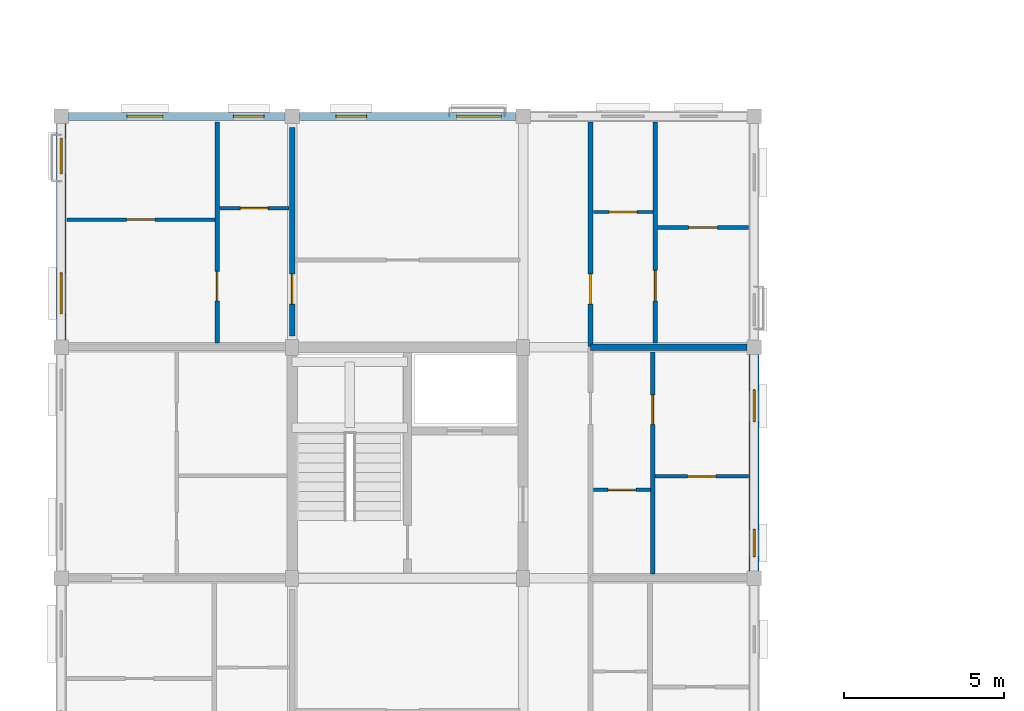
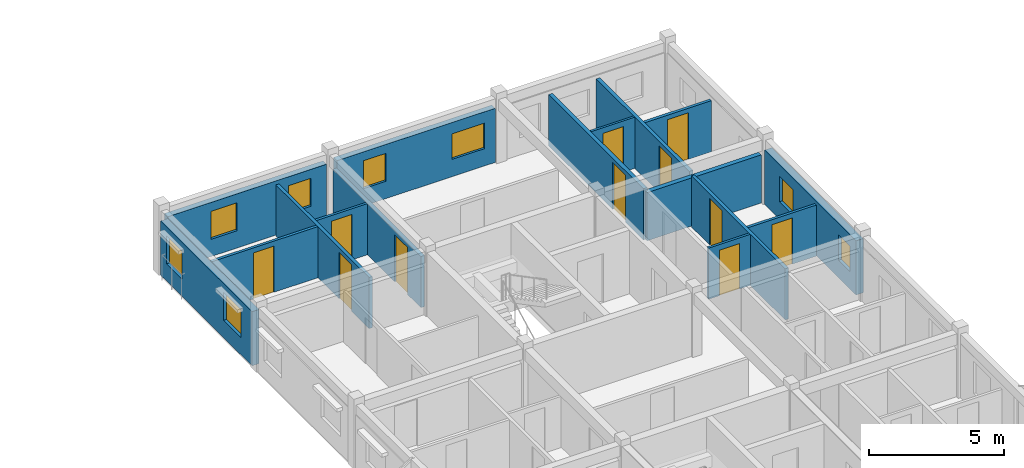
# One storey, part 19 of 28: 16 walls, 11 doors, 8 windows, 19 openings.
"""IFC4 building model written with IfcOpenShell, lengths in metres."""

from ifc_helpers import new_model, si_unit, direction, frame, frame_2d, origin, place, context, subcontext, project, spatial, rectangle, extrude, material, layer, layer_set, type_object, element, fill, save


model = new_model("IFC4")

# Units and contexts
model_context = context("Model", 3, precision=1e-05, world=origin(), true_north=direction((0.0, 1.0)))
body_context = subcontext(model_context, "Body", "Model", "MODEL_VIEW")
ifc_project = project(units=[si_unit("LENGTHUNIT", "METRE"), si_unit("AREAUNIT", "SQUARE_METRE"), si_unit("VOLUMEUNIT", "CUBIC_METRE"), si_unit("PLANEANGLEUNIT", "RADIAN"), si_unit("MASSUNIT", "GRAM", prefix="KILO"), si_unit("THERMODYNAMICTEMPERATUREUNIT", "KELVIN"), si_unit("POWERUNIT", "WATT")], contexts=[model_context])

# Site, building, storey
site_placement = place(None, origin())
site = spatial("IfcSite", under=ifc_project, at=site_placement, CompositionType="ELEMENT")
building_placement = place(site_placement, origin())
building = spatial("IfcBuilding", under=site, at=building_placement, Name="Tavuni Mirador Residences", CompositionType="ELEMENT")
storey_placement = place(building_placement, frame((0.0, 0.0, 39.14990234375)))
storey = spatial("IfcBuildingStorey", under=building, at=storey_placement, Name="L12", CompositionType="ELEMENT", Elevation=39.14990234375)

# Wall, opening, door
ifc_material_1 = material(Name="Precast concrete C40/50", Category="concrete")
ifc_layer_1 = layer(ifc_material_1, 0.1650390625, Name="Precast concrete C40/50", Category="concrete")
ifc_layer_set_1 = layer_set([ifc_layer_1], Name="Precast concrete C40/50")
wall_type_1 = type_object("IfcWallType", Name="WT-CORR165", PredefinedType="PARTITIONING", material=ifc_layer_set_1)
wall_1_placement = place(storey_placement, frame((20.10009765625, 36.02001953125, 0.0), z_axis=(0.0, 0.0, 1.0), x_axis=(0.0, 1.0, 0.0)))
wall_1 = element("IfcWall", 1, at=wall_1_placement, inside=storey, type_object=wall_type_1, Name="CORW-BLK-A-L12-0-04", PredefinedType="PARTITIONING", context=body_context, shape_type="SweptSolid", body=[
    extrude(rectangle(XDim=7.0048828125, YDim=0.1650390625, at=frame_2d((3.50244140625, 0.0))), origin(), (0.0, 0.0, 1.0), 2.30517578125),
])
opening_1_placement = place(wall_1_placement, frame((1.330078125, 0.0, 0.0)))
opening_1 = element("IfcOpeningElement", 2, at=opening_1_placement, cuts=wall_1, Name="Opening D-19", PredefinedType="OPENING", context=body_context, shape_type="SweptSolid", body=[
    extrude(rectangle(XDim=0.93994140625, YDim=2.1201171875, at=frame_2d((0.469970703125, 1.06005859375))), frame((0.0, 0.092529296875, 0.0), z_axis=(0.0, -1.0, 0.0), x_axis=(1.0, 0.0, 0.0)), (0.0, 0.0, 1.0), 0.18505859375),
])
ifc_material_2 = material(Name="Solid core iroko timber", Category="wood")
door_type_1 = type_object("IfcDoorType", Name="DT-FD60-940", OperationType="NOTDEFINED", PredefinedType="DOOR", material=ifc_material_2)
door_1_placement = place(opening_1_placement, origin())
door_1 = element("IfcDoor", 3, at=door_1_placement, inside=storey, type_object=door_type_1, Name="DR-2497", OperationType="SINGLE_SWING_RIGHT", OverallHeight=2.1201171875, OverallWidth=0.93994140625, PredefinedType="DOOR", context=body_context, shape_type="SweptSolid", body=[
    extrude(rectangle(XDim=0.93994140625, YDim=2.1201171875, at=frame_2d((0.469970703125, 1.06005859375))), frame((0.0, 0.02490234375, 0.0), z_axis=(0.0, -1.0, 0.0), x_axis=(1.0, 0.0, 0.0)), (0.0, 0.0, 1.0), 0.050048828125),
])
fill(opening_1, door_1)

wall_2_placement = place(storey_placement, frame((10.800048828125, 36.35009765625, 0.0), z_axis=(0.0, 0.0, 1.0), x_axis=(0.0, 1.0, 0.0)))
wall_2 = element("IfcWall", 4, at=wall_2_placement, inside=storey, type_object=wall_type_1, Name="CORW-BLK-A-L12-1-04", PredefinedType="PARTITIONING", context=body_context, shape_type="SweptSolid", body=[
    extrude(rectangle(XDim=6.5, YDim=0.1650390625, at=frame_2d((3.25, 0.0))), origin(), (0.0, 0.0, 1.0), 2.30517578125),
])
opening_2_placement = place(wall_2_placement, frame((1.0, 0.0, 0.0)))
opening_2 = element("IfcOpeningElement", 5, at=opening_2_placement, cuts=wall_2, Name="Opening D-19", PredefinedType="OPENING", context=body_context, shape_type="SweptSolid", body=[
    extrude(rectangle(XDim=0.93994140625, YDim=2.1201171875, at=frame_2d((0.469970703125, 1.06005859375))), frame((0.0, 0.092529296875, 0.0), z_axis=(0.0, -1.0, 0.0), x_axis=(1.0, 0.0, 0.0)), (0.0, 0.0, 1.0), 0.18505859375),
])
door_2_placement = place(opening_2_placement, origin())
door_2 = element("IfcDoor", 6, at=door_2_placement, inside=storey, type_object=door_type_1, Name="DR-2500", OperationType="SINGLE_SWING_LEFT", OverallHeight=2.1201171875, OverallWidth=0.93994140625, PredefinedType="DOOR", context=body_context, shape_type="SweptSolid", body=[
    extrude(rectangle(XDim=0.93994140625, YDim=2.1201171875, at=frame_2d((0.469970703125, 1.06005859375))), frame((0.0, 0.02490234375, 0.0), z_axis=(0.0, -1.0, 0.0), x_axis=(1.0, 0.0, 0.0)), (0.0, 0.0, 1.0), 0.050048828125),
])
fill(opening_2, door_2)

# Wall, openings, windows
ifc_material_3 = material(Name="Sgraffito lime-rendered precast concrete C40/50", Category="concrete")
ifc_layer_2 = layer(ifc_material_3, 0.2451171875, Name="Sgraffito lime-rendered precast concrete C40/50", Category="concrete")
ifc_layer_set_2 = layer_set([ifc_layer_2], Name="Sgraffito lime-rendered precast concrete C40/50")
wall_type_2 = type_object("IfcWallType", Name="WT-EXT-PC245", PredefinedType="SOLIDWALL", material=ifc_layer_set_2)
wall_3_placement = place(storey_placement, frame((17.77490234375, 43.199951171875, 0.0), z_axis=(0.0, 0.0, 1.0), x_axis=(-1.0, 0.0, 0.0)))
wall_3 = element("IfcWall", 7, at=wall_3_placement, inside=storey, type_object=wall_type_2, Name="EW-BLK-A-L12-N01", PredefinedType="SOLIDWALL", context=body_context, shape_type="SweptSolid", body=[
    extrude(rectangle(XDim=6.75, YDim=0.2451171875, at=frame_2d((3.375, 0.0))), origin(), (0.0, 0.0, 1.0), 2.440185546875),
])
opening_3_placement = place(wall_3_placement, frame((0.449951171875, 0.0, 0.780029296875)))
opening_3 = element("IfcOpeningElement", 8, at=opening_3_placement, cuts=wall_3, Name="Opening WN-08", PredefinedType="OPENING", context=body_context, shape_type="SweptSolid", body=[
    extrude(rectangle(XDim=1.39990234375, YDim=1.14990234375, at=frame_2d((0.699951171875, 0.574951171875))), frame((0.0, 0.132568359375, 0.0), z_axis=(0.0, -1.0, 0.0), x_axis=(1.0, 0.0, 0.0)), (0.0, 0.0, 1.0), 0.26513671875),
])
opening_4_placement = place(wall_3_placement, frame((4.64990234375, 0.0, 0.780029296875)))
opening_4 = element("IfcOpeningElement", 9, at=opening_4_placement, cuts=wall_3, Name="Opening WN-10", PredefinedType="OPENING", context=body_context, shape_type="SweptSolid", body=[
    extrude(rectangle(XDim=0.9599609375, YDim=1.260009765625, at=frame_2d((0.47998046875, 0.6298828125))), frame((0.0, 0.132568359375, 0.0), z_axis=(0.0, -1.0, 0.0), x_axis=(1.0, 0.0, 0.0)), (0.0, 0.0, 1.0), 0.26513671875),
])
ifc_material_4 = material(Name="Laminated solar-control glass", Category="glass")
window_type_1 = type_object("IfcWindowType", Name="WNT-08", PartitioningType="SINGLE_PANEL", PredefinedType="WINDOW", material=ifc_material_4)
window_1_placement = place(opening_3_placement, origin())
window_1 = element("IfcWindow", 10, at=window_1_placement, inside=storey, type_object=window_type_1, Name="WIN-0445", OverallHeight=1.14990234375, OverallWidth=1.39990234375, PartitioningType="SINGLE_PANEL", PredefinedType="WINDOW", context=body_context, shape_type="SweptSolid", body=[
    extrude(rectangle(XDim=1.39990234375, YDim=1.14990234375, at=frame_2d((0.699951171875, 0.574951171875))), frame((0.0, 0.030029296875, 0.0), z_axis=(0.0, -1.0, 0.0), x_axis=(1.0, 0.0, 0.0)), (0.0, 0.0, 1.0), 0.06005859375),
])
fill(opening_3, window_1)
window_type_2 = type_object("IfcWindowType", Name="WNT-10", PartitioningType="SINGLE_PANEL", PredefinedType="WINDOW", material=ifc_material_4)
window_2_placement = place(opening_4_placement, origin())
window_2 = element("IfcWindow", 11, at=window_2_placement, inside=storey, type_object=window_type_2, Name="WIN-0446", OverallHeight=1.260009765625, OverallWidth=0.9599609375, PartitioningType="SINGLE_PANEL", PredefinedType="WINDOW", context=body_context, shape_type="SweptSolid", body=[
    extrude(rectangle(XDim=0.9599609375, YDim=1.260009765625, at=frame_2d((0.47998046875, 0.6298828125))), frame((0.0, 0.030029296875, 0.0), z_axis=(0.0, -1.0, 0.0), x_axis=(1.0, 0.0, 0.0)), (0.0, 0.0, 1.0), 0.06005859375),
])
fill(opening_4, window_2)

ifc_layer_3 = layer(ifc_material_3, 0.2548828125, Name="Sgraffito lime-rendered precast concrete C40/50", Category="concrete")
ifc_layer_set_3 = layer_set([ifc_layer_3], Name="Sgraffito lime-rendered precast concrete C40/50")
wall_type_3 = type_object("IfcWallType", Name="WT-EXT-PC255", PredefinedType="SOLIDWALL", material=ifc_layer_set_3)
wall_4_placement = place(storey_placement, frame((10.574951171875, 43.199951171875, 0.0), z_axis=(0.0, 0.0, 1.0), x_axis=(-1.0, 0.0, 0.0)))
wall_4 = element("IfcWall", 12, at=wall_4_placement, inside=storey, type_object=wall_type_3, Name="EW-BLK-A-L12-N00", PredefinedType="SOLIDWALL", context=body_context, shape_type="SweptSolid", body=[
    extrude(rectangle(XDim=6.75, YDim=0.2548828125, at=frame_2d((3.375, 0.0))), origin(), (0.0, 0.0, 1.0), 2.440185546875),
])
opening_5_placement = place(wall_4_placement, frame((0.6474609375, 0.0, 0.780029296875)))
opening_5 = element("IfcOpeningElement", 13, at=opening_5_placement, cuts=wall_4, Name="Opening WN-10", PredefinedType="OPENING", context=body_context, shape_type="SweptSolid", body=[
    extrude(rectangle(XDim=0.9599609375, YDim=1.260009765625, at=frame_2d((0.47998046875, 0.6298828125))), frame((0.0, 0.137451171875, 0.0), z_axis=(0.0, -1.0, 0.0), x_axis=(1.0, 0.0, 0.0)), (0.0, 0.0, 1.0), 0.27490234375),
])
opening_6_placement = place(wall_4_placement, frame((3.802490234375, 0.0, 0.780029296875)))
opening_6 = element("IfcOpeningElement", 14, at=opening_6_placement, cuts=wall_4, Name="Opening WN-12", PredefinedType="OPENING", context=body_context, shape_type="SweptSolid", body=[
    extrude(rectangle(XDim=1.1201171875, YDim=1.260009765625, at=frame_2d((0.56005859375, 0.6298828125))), frame((0.0, 0.137451171875, 0.0), z_axis=(0.0, -1.0, 0.0), x_axis=(1.0, 0.0, 0.0)), (0.0, 0.0, 1.0), 0.27490234375),
])
window_3_placement = place(opening_5_placement, origin())
window_3 = element("IfcWindow", 15, at=window_3_placement, inside=storey, type_object=window_type_2, Name="WIN-0447", OverallHeight=1.260009765625, OverallWidth=0.9599609375, PartitioningType="SINGLE_PANEL", PredefinedType="WINDOW", context=body_context, shape_type="SweptSolid", body=[
    extrude(rectangle(XDim=0.9599609375, YDim=1.260009765625, at=frame_2d((0.47998046875, 0.6298828125))), frame((0.0, 0.030029296875, 0.0), z_axis=(0.0, -1.0, 0.0), x_axis=(1.0, 0.0, 0.0)), (0.0, 0.0, 1.0), 0.06005859375),
])
fill(opening_5, window_3)
window_type_3 = type_object("IfcWindowType", Name="WNT-12", PartitioningType="SINGLE_PANEL", PredefinedType="WINDOW", material=ifc_material_4)
window_4_placement = place(opening_6_placement, origin())
window_4 = element("IfcWindow", 16, at=window_4_placement, inside=storey, type_object=window_type_3, Name="WIN-0448", OverallHeight=1.260009765625, OverallWidth=1.1201171875, PartitioningType="SINGLE_PANEL", PredefinedType="WINDOW", context=body_context, shape_type="SweptSolid", body=[
    extrude(rectangle(XDim=1.1201171875, YDim=1.260009765625, at=frame_2d((0.56005859375, 0.6298828125))), frame((0.0, 0.030029296875, 0.0), z_axis=(0.0, -1.0, 0.0), x_axis=(1.0, 0.0, 0.0)), (0.0, 0.0, 1.0), 0.06005859375),
])
fill(opening_6, window_4)

ifc_layer_4 = layer(ifc_material_3, 0.304931640625, Name="Sgraffito lime-rendered precast concrete C40/50", Category="concrete")
ifc_layer_set_4 = layer_set([ifc_layer_4], Name="Sgraffito lime-rendered precast concrete C40/50")
wall_type_4 = type_object("IfcWallType", Name="WT-EXT-PC305", PredefinedType="SOLIDWALL", material=ifc_layer_set_4)
wall_5_placement = place(storey_placement, frame((3.60009765625, 42.97509765625, 0.0), z_axis=(0.0, 0.0, 1.0), x_axis=(0.0, -1.0, 0.0)))
wall_5 = element("IfcWall", 17, at=wall_5_placement, inside=storey, type_object=wall_type_4, Name="EW-BLK-A-L12-W04", PredefinedType="SOLIDWALL", context=body_context, shape_type="SweptSolid", body=[
    extrude(rectangle(XDim=6.75, YDim=0.304931640625, at=frame_2d((3.375, 0.0))), origin(), (0.0, 0.0, 1.0), 2.440185546875),
])
opening_7_placement = place(wall_5_placement, frame((0.449951171875, 0.0, 0.780029296875)))
opening_7 = element("IfcOpeningElement", 18, at=opening_7_placement, cuts=wall_5, Name="Opening WN-12", PredefinedType="OPENING", context=body_context, shape_type="SweptSolid", body=[
    extrude(rectangle(XDim=1.1201171875, YDim=1.260009765625, at=frame_2d((0.56005859375, 0.6298828125))), frame((0.0, 0.16259765625, 0.0), z_axis=(0.0, -1.0, 0.0), x_axis=(1.0, 0.0, 0.0)), (0.0, 0.0, 1.0), 0.324951171875),
])
opening_8_placement = place(wall_5_placement, frame((4.64990234375, 0.0, 0.780029296875)))
opening_8 = element("IfcOpeningElement", 19, at=opening_8_placement, cuts=wall_5, Name="Opening WN-14", PredefinedType="OPENING", context=body_context, shape_type="SweptSolid", body=[
    extrude(rectangle(XDim=1.280029296875, YDim=1.260009765625, at=frame_2d((0.64013671875, 0.6298828125))), frame((0.0, 0.16259765625, 0.0), z_axis=(0.0, -1.0, 0.0), x_axis=(1.0, 0.0, 0.0)), (0.0, 0.0, 1.0), 0.324951171875),
])
window_5_placement = place(opening_7_placement, origin())
window_5 = element("IfcWindow", 20, at=window_5_placement, inside=storey, type_object=window_type_3, Name="WIN-0449", OverallHeight=1.260009765625, OverallWidth=1.1201171875, PartitioningType="SINGLE_PANEL", PredefinedType="WINDOW", context=body_context, shape_type="SweptSolid", body=[
    extrude(rectangle(XDim=1.1201171875, YDim=1.260009765625, at=frame_2d((0.56005859375, 0.6298828125))), frame((0.0, 0.030029296875, 0.0), z_axis=(0.0, -1.0, 0.0), x_axis=(1.0, 0.0, 0.0)), (0.0, 0.0, 1.0), 0.06005859375),
])
fill(opening_7, window_5)
window_type_4 = type_object("IfcWindowType", Name="WNT-14", PartitioningType="SINGLE_PANEL", PredefinedType="WINDOW", material=ifc_material_4)
window_6_placement = place(opening_8_placement, origin())
window_6 = element("IfcWindow", 21, at=window_6_placement, inside=storey, type_object=window_type_4, Name="WIN-0450", OverallHeight=1.260009765625, OverallWidth=1.280029296875, PartitioningType="SINGLE_PANEL", PredefinedType="WINDOW", context=body_context, shape_type="SweptSolid", body=[
    extrude(rectangle(XDim=1.280029296875, YDim=1.260009765625, at=frame_2d((0.64013671875, 0.6298828125))), frame((0.0, 0.030029296875, 0.0), z_axis=(0.0, -1.0, 0.0), x_axis=(1.0, 0.0, 0.0)), (0.0, 0.0, 1.0), 0.06005859375),
])
fill(opening_8, window_6)

ifc_layer_5 = layer(ifc_material_3, 0.31494140625, Name="Sgraffito lime-rendered precast concrete C40/50", Category="concrete")
ifc_layer_set_5 = layer_set([ifc_layer_5], Name="Sgraffito lime-rendered precast concrete C40/50")
wall_type_5 = type_object("IfcWallType", Name="WT-EXT-PC315", PredefinedType="SOLIDWALL", material=ifc_layer_set_5)
wall_6_placement = place(storey_placement, frame((25.199951171875, 29.02490234375, 0.0), z_axis=(0.0, 0.0, 1.0), x_axis=(0.0, 1.0, 0.0)))
wall_6 = element("IfcWall", 22, at=wall_6_placement, inside=storey, type_object=wall_type_5, Name="EW-BLK-A-L12-E03", PredefinedType="SOLIDWALL", context=body_context, shape_type="SweptSolid", body=[
    extrude(rectangle(XDim=6.75, YDim=0.31494140625, at=frame_2d((3.375, 0.0))), origin(), (0.0, 0.0, 1.0), 2.440185546875),
])
opening_9_placement = place(wall_6_placement, frame((0.449951171875, 0.0, 0.780029296875)))
opening_9 = element("IfcOpeningElement", 23, at=opening_9_placement, cuts=wall_6, Name="Opening WN-01", PredefinedType="OPENING", context=body_context, shape_type="SweptSolid", body=[
    extrude(rectangle(XDim=0.85009765625, YDim=1.14990234375, at=frame_2d((0.425048828125, 0.574951171875))), frame((0.0, 0.16748046875, 0.0), z_axis=(0.0, -1.0, 0.0), x_axis=(1.0, 0.0, 0.0)), (0.0, 0.0, 1.0), 0.3349609375),
])
opening_10_placement = place(wall_6_placement, frame((4.64990234375, 0.0, 0.780029296875)))
opening_10 = element("IfcOpeningElement", 24, at=opening_10_placement, cuts=wall_6, Name="Opening WN-03", PredefinedType="OPENING", context=body_context, shape_type="SweptSolid", body=[
    extrude(rectangle(XDim=1.0, YDim=1.14990234375, at=frame_2d((0.5, 0.574951171875))), frame((0.0, 0.16748046875, 0.0), z_axis=(0.0, -1.0, 0.0), x_axis=(1.0, 0.0, 0.0)), (0.0, 0.0, 1.0), 0.3349609375),
])
window_type_5 = type_object("IfcWindowType", Name="WNT-01", PartitioningType="SINGLE_PANEL", PredefinedType="WINDOW", material=ifc_material_4)
window_7_placement = place(opening_9_placement, origin())
window_7 = element("IfcWindow", 25, at=window_7_placement, inside=storey, type_object=window_type_5, Name="WIN-0438", OverallHeight=1.14990234375, OverallWidth=0.85009765625, PartitioningType="SINGLE_PANEL", PredefinedType="WINDOW", context=body_context, shape_type="SweptSolid", body=[
    extrude(rectangle(XDim=0.85009765625, YDim=1.14990234375, at=frame_2d((0.425048828125, 0.574951171875))), frame((0.0, 0.030029296875, 0.0), z_axis=(0.0, -1.0, 0.0), x_axis=(1.0, 0.0, 0.0)), (0.0, 0.0, 1.0), 0.06005859375),
])
fill(opening_9, window_7)
window_type_6 = type_object("IfcWindowType", Name="WNT-03", PartitioningType="SINGLE_PANEL", PredefinedType="WINDOW", material=ifc_material_4)
window_8_placement = place(opening_10_placement, origin())
window_8 = element("IfcWindow", 26, at=window_8_placement, inside=storey, type_object=window_type_6, Name="WIN-0439", OverallHeight=1.14990234375, OverallWidth=1.0, PartitioningType="SINGLE_PANEL", PredefinedType="WINDOW", context=body_context, shape_type="SweptSolid", body=[
    extrude(rectangle(XDim=1.0, YDim=1.14990234375, at=frame_2d((0.5, 0.574951171875))), frame((0.0, 0.030029296875, 0.0), z_axis=(0.0, -1.0, 0.0), x_axis=(1.0, 0.0, 0.0)), (0.0, 0.0, 1.0), 0.06005859375),
])
fill(opening_10, window_8)

# Wall, opening, door
ifc_material_5 = material(Name="Acoustic gypsum and concrete block partition", Category="concrete")
ifc_layer_6 = layer(ifc_material_5, 0.094970703125, Name="Acoustic gypsum and concrete block partition", Category="concrete")
ifc_layer_set_6 = layer_set([ifc_layer_6], Name="Acoustic gypsum and concrete block partition")
wall_type_6 = type_object("IfcWallType", Name="WT-PART095", PredefinedType="PARTITIONING", material=ifc_layer_set_6)
wall_7_placement = place(storey_placement, frame((20.18994140625, 40.219970703125, 0.0), z_axis=(0.0, 0.0, 1.0), x_axis=(1.0, 0.0, 0.0)))
wall_7 = element("IfcWall", 27, at=wall_7_placement, inside=storey, type_object=wall_type_6, Name="PW-BLK-A-L12-E04-IN1", PredefinedType="PARTITIONING", context=body_context, shape_type="SweptSolid", body=[
    extrude(rectangle(XDim=1.860107421875, YDim=0.094970703125, at=frame_2d((0.93017578125, 0.0))), origin(), (0.0, 0.0, 1.0), 2.30517578125),
])
opening_11_placement = place(wall_7_placement, frame((0.4951171875, 0.0, 0.0)))
opening_11 = element("IfcOpeningElement", 28, at=opening_11_placement, cuts=wall_7, Name="Opening D-10", PredefinedType="OPENING", context=body_context, shape_type="SweptSolid", body=[
    extrude(rectangle(XDim=0.8701171875, YDim=2.050048828125, at=frame_2d((0.43505859375, 1.02490234375))), frame((0.0, 0.0576171875, 0.0), z_axis=(0.0, -1.0, 0.0), x_axis=(1.0, 0.0, 0.0)), (0.0, 0.0, 1.0), 0.114990234375),
])
door_type_2 = type_object("IfcDoorType", Name="DT-WC870", OperationType="NOTDEFINED", PredefinedType="DOOR", material=ifc_material_2)
door_3_placement = place(opening_11_placement, origin())
door_3 = element("IfcDoor", 29, at=door_3_placement, inside=storey, type_object=door_type_2, Name="DR-3345", OperationType="SINGLE_SWING_RIGHT", OverallHeight=2.050048828125, OverallWidth=0.8701171875, PredefinedType="DOOR", context=body_context, shape_type="SweptSolid", body=[
    extrude(rectangle(XDim=0.8701171875, YDim=2.050048828125, at=frame_2d((0.43505859375, 1.02490234375))), frame((0.0, 0.02490234375, 0.0), z_axis=(0.0, -1.0, 0.0), x_axis=(1.0, 0.0, 0.0)), (0.0, 0.0, 1.0), 0.050048828125),
])
fill(opening_11, door_3)

ifc_layer_7 = layer(ifc_material_5, 0.10498046875, Name="Acoustic gypsum and concrete block partition", Category="concrete")
ifc_layer_set_7 = layer_set([ifc_layer_7], Name="Acoustic gypsum and concrete block partition")
wall_type_7 = type_object("IfcWallType", Name="WT-PART105", PredefinedType="PARTITIONING", material=ifc_layer_set_7)
wall_8_placement = place(storey_placement, frame((20.18994140625, 31.56005859375, 0.0), z_axis=(0.0, 0.0, 1.0), x_axis=(1.0, 0.0, 0.0)))
wall_8 = element("IfcWall", 30, at=wall_8_placement, inside=storey, type_object=wall_type_7, Name="PW-BLK-A-L12-E03-IN1", PredefinedType="PARTITIONING", context=body_context, shape_type="SweptSolid", body=[
    extrude(rectangle(XDim=1.780029296875, YDim=0.10498046875, at=frame_2d((0.89013671875, 0.0))), origin(), (0.0, 0.0, 1.0), 2.30517578125),
])
opening_12_placement = place(wall_8_placement, frame((0.455078125, 0.0, 0.0)))
opening_12 = element("IfcOpeningElement", 31, at=opening_12_placement, cuts=wall_8, Name="Opening D-10", PredefinedType="OPENING", context=body_context, shape_type="SweptSolid", body=[
    extrude(rectangle(XDim=0.8701171875, YDim=2.050048828125, at=frame_2d((0.43505859375, 1.02490234375))), frame((0.0, 0.0625, 0.0), z_axis=(0.0, -1.0, 0.0), x_axis=(1.0, 0.0, 0.0)), (0.0, 0.0, 1.0), 0.125),
])
door_4_placement = place(opening_12_placement, origin())
door_4 = element("IfcDoor", 32, at=door_4_placement, inside=storey, type_object=door_type_2, Name="DR-3338", OperationType="SINGLE_SWING_LEFT", OverallHeight=2.050048828125, OverallWidth=0.8701171875, PredefinedType="DOOR", context=body_context, shape_type="SweptSolid", body=[
    extrude(rectangle(XDim=0.8701171875, YDim=2.050048828125, at=frame_2d((0.43505859375, 1.02490234375))), frame((0.0, 0.02490234375, 0.0), z_axis=(0.0, -1.0, 0.0), x_axis=(1.0, 0.0, 0.0)), (0.0, 0.0, 1.0), 0.050048828125),
])
fill(opening_12, door_4)

wall_9_placement = place(storey_placement, frame((8.530029296875, 40.340087890625, 0.0), z_axis=(0.0, 0.0, 1.0), x_axis=(1.0, 0.0, 0.0)))
wall_9 = element("IfcWall", 33, at=wall_9_placement, inside=storey, type_object=wall_type_7, Name="PW-BLK-A-L12-W04-IN1", PredefinedType="PARTITIONING", context=body_context, shape_type="SweptSolid", body=[
    extrude(rectangle(XDim=2.179931640625, YDim=0.10498046875, at=frame_2d((1.08984375, 0.0))), origin(), (0.0, 0.0, 1.0), 2.30517578125),
])
opening_13_placement = place(wall_9_placement, frame((0.655029296875, 0.0, 0.0)))
opening_13 = element("IfcOpeningElement", 34, at=opening_13_placement, cuts=wall_9, Name="Opening D-10", PredefinedType="OPENING", context=body_context, shape_type="SweptSolid", body=[
    extrude(rectangle(XDim=0.8701171875, YDim=2.050048828125, at=frame_2d((0.43505859375, 1.02490234375))), frame((0.0, 0.0625, 0.0), z_axis=(0.0, -1.0, 0.0), x_axis=(1.0, 0.0, 0.0)), (0.0, 0.0, 1.0), 0.125),
])
door_5_placement = place(opening_13_placement, origin())
door_5 = element("IfcDoor", 35, at=door_5_placement, inside=storey, type_object=door_type_2, Name="DR-3342", OperationType="SINGLE_SWING_LEFT", OverallHeight=2.050048828125, OverallWidth=0.8701171875, PredefinedType="DOOR", context=body_context, shape_type="SweptSolid", body=[
    extrude(rectangle(XDim=0.8701171875, YDim=2.050048828125, at=frame_2d((0.43505859375, 1.02490234375))), frame((0.0, 0.02490234375, 0.0), z_axis=(0.0, -1.0, 0.0), x_axis=(1.0, 0.0, 0.0)), (0.0, 0.0, 1.0), 0.050048828125),
])
fill(opening_13, door_5)

ifc_layer_8 = layer(ifc_material_5, 0.114990234375, Name="Acoustic gypsum and concrete block partition", Category="concrete")
ifc_layer_set_8 = layer_set([ifc_layer_8], Name="Acoustic gypsum and concrete block partition")
wall_type_8 = type_object("IfcWallType", Name="WT-PART115", PredefinedType="PARTITIONING", material=ifc_layer_set_8)
wall_10_placement = place(storey_placement, frame((22.110107421875, 31.97998046875, 0.0), z_axis=(0.0, 0.0, 1.0), x_axis=(1.0, 0.0, 0.0)))
wall_10 = element("IfcWall", 36, at=wall_10_placement, inside=storey, type_object=wall_type_8, Name="PW-BLK-A-L12-E03-OUT", PredefinedType="PARTITIONING", context=body_context, shape_type="SweptSolid", body=[
    extrude(rectangle(XDim=2.914794921875, YDim=0.114990234375, at=frame_2d((1.45751953125, 0.0))), origin(), (0.0, 0.0, 1.0), 2.30517578125),
])
opening_14_placement = place(wall_10_placement, frame((1.017578125, 0.0, 0.0)))
opening_14 = element("IfcOpeningElement", 37, at=opening_14_placement, cuts=wall_10, Name="Opening D-08", PredefinedType="OPENING", context=body_context, shape_type="SweptSolid", body=[
    extrude(rectangle(XDim=0.8798828125, YDim=2.080078125, at=frame_2d((0.43994140625, 1.0400390625))), frame((0.0, 0.0673828125, 0.0), z_axis=(0.0, -1.0, 0.0), x_axis=(1.0, 0.0, 0.0)), (0.0, 0.0, 1.0), 0.135009765625),
])
door_type_3 = type_object("IfcDoorType", Name="DT-BED880", OperationType="NOTDEFINED", PredefinedType="DOOR", material=ifc_material_2)
door_6_placement = place(opening_14_placement, origin())
door_6 = element("IfcDoor", 38, at=door_6_placement, inside=storey, type_object=door_type_3, Name="DR-3337", OperationType="SINGLE_SWING_RIGHT", OverallHeight=2.080078125, OverallWidth=0.8798828125, PredefinedType="DOOR", context=body_context, shape_type="SweptSolid", body=[
    extrude(rectangle(XDim=0.8798828125, YDim=2.080078125, at=frame_2d((0.43994140625, 1.0400390625))), frame((0.0, 0.02490234375, 0.0), z_axis=(0.0, -1.0, 0.0), x_axis=(1.0, 0.0, 0.0)), (0.0, 0.0, 1.0), 0.050048828125),
])
fill(opening_14, door_6)

wall_11_placement = place(storey_placement, frame((3.77490234375, 39.97998046875, 0.0), z_axis=(0.0, 0.0, 1.0), x_axis=(1.0, 0.0, 0.0)))
wall_11 = element("IfcWall", 39, at=wall_11_placement, inside=storey, type_object=wall_type_8, Name="PW-BLK-A-L12-W04-OUT", PredefinedType="PARTITIONING", context=body_context, shape_type="SweptSolid", body=[
    extrude(rectangle(XDim=4.614990234375, YDim=0.114990234375, at=frame_2d((2.3076171875, 0.0))), origin(), (0.0, 0.0, 1.0), 2.30517578125),
])
opening_15_placement = place(wall_11_placement, frame((1.867431640625, 0.0, 0.0)))
opening_15 = element("IfcOpeningElement", 40, at=opening_15_placement, cuts=wall_11, Name="Opening D-08", PredefinedType="OPENING", context=body_context, shape_type="SweptSolid", body=[
    extrude(rectangle(XDim=0.8798828125, YDim=2.080078125, at=frame_2d((0.43994140625, 1.0400390625))), frame((0.0, 0.0673828125, 0.0), z_axis=(0.0, -1.0, 0.0), x_axis=(1.0, 0.0, 0.0)), (0.0, 0.0, 1.0), 0.135009765625),
])
door_7_placement = place(opening_15_placement, origin())
door_7 = element("IfcDoor", 41, at=door_7_placement, inside=storey, type_object=door_type_3, Name="DR-3341", OperationType="SINGLE_SWING_RIGHT", OverallHeight=2.080078125, OverallWidth=0.8798828125, PredefinedType="DOOR", context=body_context, shape_type="SweptSolid", body=[
    extrude(rectangle(XDim=0.8798828125, YDim=2.080078125, at=frame_2d((0.43994140625, 1.0400390625))), frame((0.0, 0.02490234375, 0.0), z_axis=(0.0, -1.0, 0.0), x_axis=(1.0, 0.0, 0.0)), (0.0, 0.0, 1.0), 0.050048828125),
])
fill(opening_15, door_7)

ifc_layer_9 = layer(ifc_material_5, 0.125, Name="Acoustic gypsum and concrete block partition", Category="concrete")
ifc_layer_set_9 = layer_set([ifc_layer_9], Name="Acoustic gypsum and concrete block partition")
wall_type_9 = type_object("IfcWallType", Name="WT-PART125", PredefinedType="PARTITIONING", material=ifc_layer_set_9)
wall_12_placement = place(storey_placement, frame((22.18994140625, 39.739990234375, 0.0), z_axis=(0.0, 0.0, 1.0), x_axis=(1.0, 0.0, 0.0)))
wall_12 = element("IfcWall", 42, at=wall_12_placement, inside=storey, type_object=wall_type_9, Name="PW-BLK-A-L12-E04-OUT", PredefinedType="PARTITIONING", context=body_context, shape_type="SweptSolid", body=[
    extrude(rectangle(XDim=2.8349609375, YDim=0.125, at=frame_2d((1.41748046875, 0.0))), origin(), (0.0, 0.0, 1.0), 2.30517578125),
])
opening_16_placement = place(wall_12_placement, frame((0.967529296875, 0.0, 0.0)))
opening_16 = element("IfcOpeningElement", 43, at=opening_16_placement, cuts=wall_12, Name="Opening D-07", PredefinedType="OPENING", context=body_context, shape_type="SweptSolid", body=[
    extrude(rectangle(XDim=0.89990234375, YDim=2.10009765625, at=frame_2d((0.449951171875, 1.050048828125))), frame((0.0, 0.072509765625, 0.0), z_axis=(0.0, -1.0, 0.0), x_axis=(1.0, 0.0, 0.0)), (0.0, 0.0, 1.0), 0.14501953125),
])
door_type_4 = type_object("IfcDoorType", Name="DT-BED900", OperationType="NOTDEFINED", PredefinedType="DOOR", material=ifc_material_2)
door_8_placement = place(opening_16_placement, origin())
door_8 = element("IfcDoor", 44, at=door_8_placement, inside=storey, type_object=door_type_4, Name="DR-3344", OperationType="SINGLE_SWING_LEFT", OverallHeight=2.10009765625, OverallWidth=0.89990234375, PredefinedType="DOOR", context=body_context, shape_type="SweptSolid", body=[
    extrude(rectangle(XDim=0.89990234375, YDim=2.10009765625, at=frame_2d((0.449951171875, 1.050048828125))), frame((0.0, 0.02490234375, 0.0), z_axis=(0.0, -1.0, 0.0), x_axis=(1.0, 0.0, 0.0)), (0.0, 0.0, 1.0), 0.050048828125),
])
fill(opening_16, door_8)

ifc_layer_10 = layer(ifc_material_5, 0.139892578125, Name="Acoustic gypsum and concrete block partition", Category="concrete")
ifc_layer_set_10 = layer_set([ifc_layer_10], Name="Acoustic gypsum and concrete block partition")
wall_type_10 = type_object("IfcWallType", Name="WT-PART140", PredefinedType="PARTITIONING", material=ifc_layer_set_10)
wall_13_placement = place(storey_placement, frame((22.0400390625, 28.93994140625, 0.0), z_axis=(0.0, 0.0, 1.0), x_axis=(0.0, 1.0, 0.0)))
wall_13 = element("IfcWall", 45, at=wall_13_placement, inside=storey, type_object=wall_type_10, Name="PW-BLK-A-L12-E03-MID", PredefinedType="PARTITIONING", context=body_context, shape_type="SweptSolid", body=[
    extrude(rectangle(XDim=6.920166015625, YDim=0.139892578125, at=frame_2d((3.4599609375, 0.0))), origin(), (0.0, 0.0, 1.0), 2.30517578125),
])
opening_17_placement = place(wall_13_placement, frame((4.659912109375, 0.0, 0.0)))
opening_17 = element("IfcOpeningElement", 46, at=opening_17_placement, cuts=wall_13, Name="Opening D-06", PredefinedType="OPENING", context=body_context, shape_type="SweptSolid", body=[
    extrude(rectangle(XDim=0.919921875, YDim=2.10009765625, at=frame_2d((0.4599609375, 1.050048828125))), frame((0.0, 0.080078125, 0.0), z_axis=(0.0, -1.0, 0.0), x_axis=(1.0, 0.0, 0.0)), (0.0, 0.0, 1.0), 0.159912109375),
])
door_type_5 = type_object("IfcDoorType", Name="DT-INT920", OperationType="NOTDEFINED", PredefinedType="DOOR", material=ifc_material_2)
door_9_placement = place(opening_17_placement, origin())
door_9 = element("IfcDoor", 47, at=door_9_placement, inside=storey, type_object=door_type_5, Name="DR-3339", OperationType="SINGLE_SWING_RIGHT", OverallHeight=2.10009765625, OverallWidth=0.919921875, PredefinedType="DOOR", context=body_context, shape_type="SweptSolid", body=[
    extrude(rectangle(XDim=0.919921875, YDim=2.10009765625, at=frame_2d((0.4599609375, 1.050048828125))), frame((0.0, 0.02490234375, 0.0), z_axis=(0.0, -1.0, 0.0), x_axis=(1.0, 0.0, 0.0)), (0.0, 0.0, 1.0), 0.050048828125),
])
fill(opening_17, door_9)

wall_14_placement = place(storey_placement, frame((8.4599609375, 36.139892578125, 0.0), z_axis=(0.0, 0.0, 1.0), x_axis=(0.0, 1.0, 0.0)))
wall_14 = element("IfcWall", 48, at=wall_14_placement, inside=storey, type_object=wall_type_10, Name="PW-BLK-A-L12-W04-MID", PredefinedType="PARTITIONING", context=body_context, shape_type="SweptSolid", body=[
    extrude(rectangle(XDim=6.885009765625, YDim=0.139892578125, at=frame_2d((3.4423828125, 0.0))), origin(), (0.0, 0.0, 1.0), 2.30517578125),
])
opening_18_placement = place(wall_14_placement, frame((1.31005859375, 0.0, 0.0)))
opening_18 = element("IfcOpeningElement", 49, at=opening_18_placement, cuts=wall_14, Name="Opening D-06", PredefinedType="OPENING", context=body_context, shape_type="SweptSolid", body=[
    extrude(rectangle(XDim=0.919921875, YDim=2.10009765625, at=frame_2d((0.4599609375, 1.050048828125))), frame((0.0, 0.080078125, 0.0), z_axis=(0.0, -1.0, 0.0), x_axis=(1.0, 0.0, 0.0)), (0.0, 0.0, 1.0), 0.159912109375),
])
door_10_placement = place(opening_18_placement, origin())
door_10 = element("IfcDoor", 50, at=door_10_placement, inside=storey, type_object=door_type_5, Name="DR-3343", OperationType="SINGLE_SWING_RIGHT", OverallHeight=2.10009765625, OverallWidth=0.919921875, PredefinedType="DOOR", context=body_context, shape_type="SweptSolid", body=[
    extrude(rectangle(XDim=0.919921875, YDim=2.10009765625, at=frame_2d((0.4599609375, 1.050048828125))), frame((0.0, 0.02490234375, 0.0), z_axis=(0.0, -1.0, 0.0), x_axis=(1.0, 0.0, 0.0)), (0.0, 0.0, 1.0), 0.050048828125),
])
fill(opening_18, door_10)

ifc_layer_11 = layer(ifc_material_5, 0.14990234375, Name="Acoustic gypsum and concrete block partition", Category="concrete")
ifc_layer_set_11 = layer_set([ifc_layer_11], Name="Acoustic gypsum and concrete block partition")
wall_type_11 = type_object("IfcWallType", Name="WT-PART150", PredefinedType="PARTITIONING", material=ifc_layer_set_11)
wall_15_placement = place(storey_placement, frame((22.1201171875, 36.139892578125, 0.0), z_axis=(0.0, 0.0, 1.0), x_axis=(0.0, 1.0, 0.0)))
wall_15 = element("IfcWall", 51, at=wall_15_placement, inside=storey, type_object=wall_type_11, Name="PW-BLK-A-L12-E04-MID", PredefinedType="PARTITIONING", context=body_context, shape_type="SweptSolid", body=[
    extrude(rectangle(XDim=6.885009765625, YDim=0.14990234375, at=frame_2d((3.4423828125, 0.0))), origin(), (0.0, 0.0, 1.0), 2.30517578125),
])
opening_19_placement = place(wall_15_placement, frame((1.31005859375, 0.0, 0.0)))
opening_19 = element("IfcOpeningElement", 52, at=opening_19_placement, cuts=wall_15, Name="Opening D-05", PredefinedType="OPENING", context=body_context, shape_type="SweptSolid", body=[
    extrude(rectangle(XDim=0.949951171875, YDim=2.10009765625, at=frame_2d((0.47509765625, 1.050048828125))), frame((0.0, 0.0849609375, 0.0), z_axis=(0.0, -1.0, 0.0), x_axis=(1.0, 0.0, 0.0)), (0.0, 0.0, 1.0), 0.169921875),
])
door_type_6 = type_object("IfcDoorType", Name="DT-INT950", OperationType="NOTDEFINED", PredefinedType="DOOR", material=ifc_material_2)
door_11_placement = place(opening_19_placement, origin())
door_11 = element("IfcDoor", 53, at=door_11_placement, inside=storey, type_object=door_type_6, Name="DR-3346", OperationType="SINGLE_SWING_LEFT", OverallHeight=2.10009765625, OverallWidth=0.949951171875, PredefinedType="DOOR", context=body_context, shape_type="SweptSolid", body=[
    extrude(rectangle(XDim=0.949951171875, YDim=2.10009765625, at=frame_2d((0.47509765625, 1.050048828125))), frame((0.0, 0.02490234375, 0.0), z_axis=(0.0, -1.0, 0.0), x_axis=(1.0, 0.0, 0.0)), (0.0, 0.0, 1.0), 0.050048828125),
])
fill(opening_19, door_11)

# Wall
ifc_layer_12 = layer(ifc_material_1, 0.195068359375, Name="Precast concrete C40/50", Category="concrete")
ifc_layer_set_12 = layer_set([ifc_layer_12], Name="Precast concrete C40/50")
wall_type_12 = type_object("IfcWallType", Name="WT-XW195", PredefinedType="SOLIDWALL", material=ifc_layer_set_12)
wall_16_placement = place(storey_placement, frame((20.10009765625, 36.0, 0.0), z_axis=(0.0, 0.0, 1.0), x_axis=(1.0, 0.0, 0.0)))
element("IfcWall", 54, at=wall_16_placement, inside=storey, type_object=wall_type_12, Name="XW-BLK-A-L12-E-04", PredefinedType="SOLIDWALL", context=body_context, shape_type="SweptSolid", body=[
    extrude(rectangle(XDim=4.875, YDim=0.195068359375, at=frame_2d((2.4375, 0.0))), origin(), (0.0, 0.0, 1.0), 2.170166015625),
])

save(model, "model.ifc")
